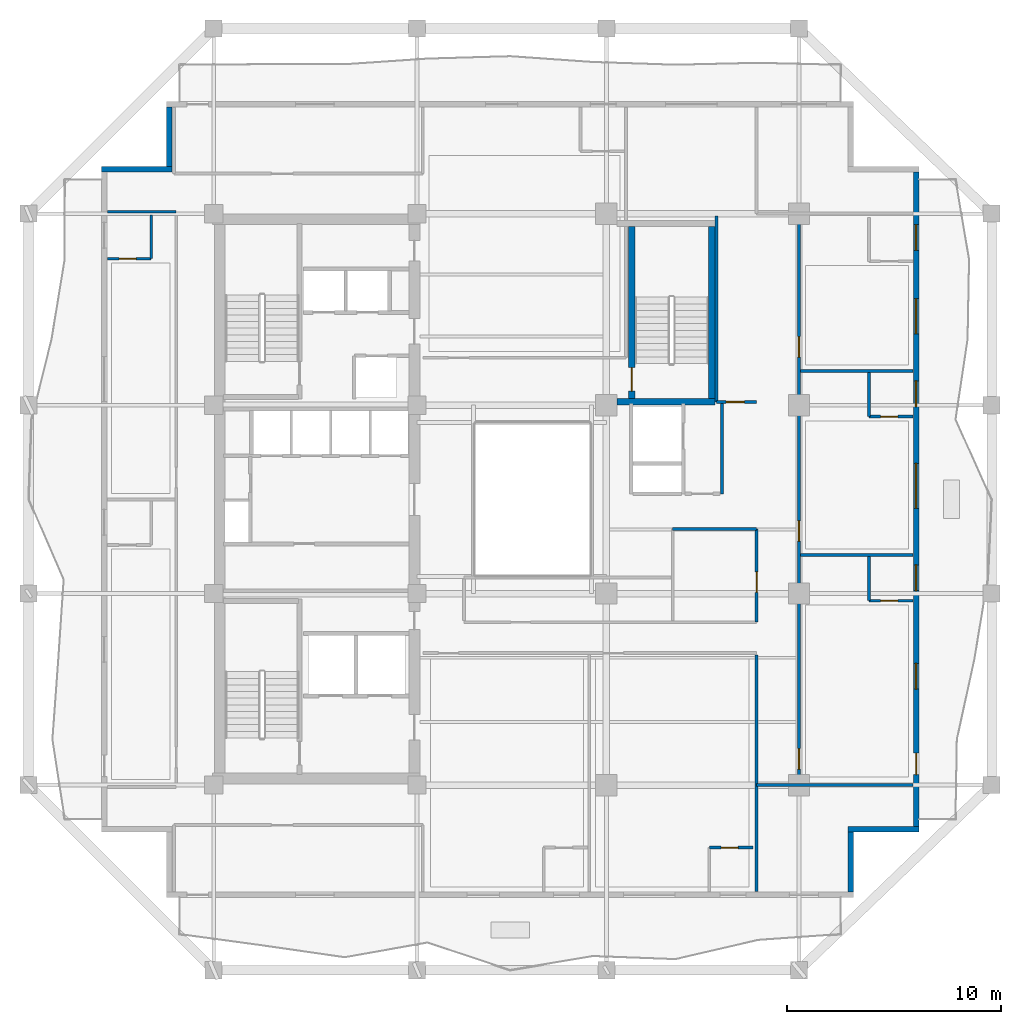
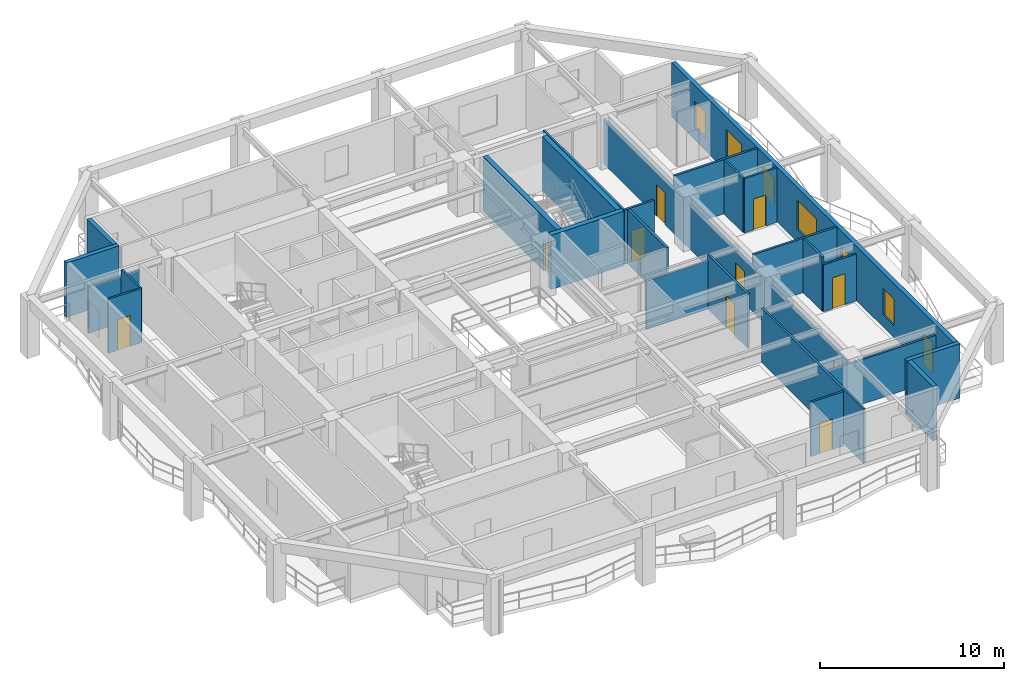
# One storey, part 5 of 10: 26 walls, 11 doors, 6 windows, 17 openings.
"""IFC4 building model written with IfcOpenShell, lengths in metres."""

from ifc_helpers import new_model, si_unit, direction, frame, frame_2d, origin, place, context, subcontext, project, spatial, rectangle, extrude, material, layer, layer_set, type_object, element, fill, save


model = new_model("IFC4")

# Units and contexts
model_context = context("Model", 3, precision=1e-05, world=origin(), true_north=direction((0.0, 1.0)))
body_context = subcontext(model_context, "Body", "Model", "MODEL_VIEW")
ifc_project = project(units=[si_unit("LENGTHUNIT", "METRE"), si_unit("AREAUNIT", "SQUARE_METRE"), si_unit("VOLUMEUNIT", "CUBIC_METRE"), si_unit("PLANEANGLEUNIT", "RADIAN"), si_unit("MASSUNIT", "GRAM", prefix="KILO")], contexts=[model_context])

# Site, building, storey
site_placement = place(None, origin())
site = spatial("IfcSite", under=ifc_project, at=site_placement, CompositionType="ELEMENT")
building_placement = place(site_placement, origin())
building = spatial("IfcBuilding", under=site, at=building_placement, Name="Kundavana Baori Tower", CompositionType="ELEMENT")
storey_placement = place(building_placement, frame((0.0, 0.0, 115.550048828125)))
storey = spatial("IfcBuildingStorey", under=building, at=storey_placement, Name="L27", CompositionType="ELEMENT", Elevation=115.550048828125)

# Walls
ifc_material_1 = material(Name="Kiln-Fired Terracotta Brick-Slip Masonry on Concrete C40/50", Category="masonry")
ifc_layer_1 = layer(ifc_material_1, 0.260009765625, Name="WL-EXT-BRK-260")
ifc_layer_set_1 = layer_set([ifc_layer_1], Name="Kiln-Fired Terracotta Brick-Slip Masonry on Concrete C40/50")
wall_type_1 = type_object("IfcWallType", Name="WL-EXT-BRK-260", PredefinedType="SOLIDWALL", material=ifc_layer_set_1)
wall_1_placement = place(storey_placement, frame((45.219970703125, 10.260009765625, 0.0), z_axis=(0.0, 0.0, 1.0), x_axis=(0.0, 1.0, 0.0)))
element("IfcWall", 1, at=wall_1_placement, inside=storey, type_object=wall_type_1, Name="L27 Exterior Insulated Facade Wall 02", PredefinedType="SOLIDWALL", context=body_context, shape_type="SweptSolid", body=[
    extrude(rectangle(XDim=2.7900390625, YDim=0.260009765625, at=frame_2d((1.39501953125, 0.0))), origin(), (0.0, 0.0, 1.0), 3.599853515625),
])
wall_2_placement = place(storey_placement, frame((45.090087890625, 13.179931640625, 0.0), z_axis=(0.0, 0.0, 1.0), x_axis=(1.0, 0.0, 0.0)))
element("IfcWall", 2, at=wall_2_placement, inside=storey, type_object=wall_type_1, Name="L27 Exterior Insulated Facade Wall 03", PredefinedType="SOLIDWALL", context=body_context, shape_type="SweptSolid", body=[
    extrude(rectangle(XDim=3.309814453125, YDim=0.260009765625, at=frame_2d((1.65478515625, 0.0))), origin(), (0.0, 0.0, 1.0), 3.599853515625),
])

# Wall, openings, door, windows
wall_3_placement = place(storey_placement, frame((48.27001953125, 13.31005859375, 0.0), z_axis=(0.0, 0.0, 1.0), x_axis=(0.0, 1.0, 0.0)))
wall_3 = element("IfcWall", 3, at=wall_3_placement, inside=storey, type_object=wall_type_1, Name="L27 Exterior Insulated Facade Wall 04", PredefinedType="SOLIDWALL", context=body_context, shape_type="SweptSolid", body=[
    extrude(rectangle(XDim=30.579833984375, YDim=0.260009765625, at=frame_2d((15.2900390625, 0.0))), origin(), (0.0, 0.0, 1.0), 3.599853515625),
])
opening_1_placement = place(wall_3_placement, frame((2.429931640625, 0.0, 0.0)))
opening_1 = element("IfcOpeningElement", 4, at=opening_1_placement, cuts=wall_3, Name="Opening BD-1", PredefinedType="OPENING", context=body_context, shape_type="SweptSolid", body=[
    extrude(rectangle(XDim=1.0, YDim=2.050048828125, at=frame_2d((0.5, 1.02490234375))), frame((0.0, 0.14013671875, 0.0), z_axis=(0.0, -1.0, 0.0), x_axis=(1.0, 0.0, 0.0)), (0.0, 0.0, 1.0), 0.280029296875),
])
opening_2_placement = place(wall_3_placement, frame((6.425048828125, 0.0, 0.800048828125)))
opening_2 = element("IfcOpeningElement", 5, at=opening_2_placement, cuts=wall_3, Name="Opening W-03", PredefinedType="OPENING", context=body_context, shape_type="SweptSolid", body=[
    extrude(rectangle(XDim=1.199951171875, YDim=1.75, at=frame_2d((0.60009765625, 0.875))), frame((0.0, 0.14013671875, 0.0), z_axis=(0.0, -1.0, 0.0), x_axis=(1.0, 0.0, 0.0)), (0.0, 0.0, 1.0), 0.280029296875),
])
opening_3_placement = place(wall_3_placement, frame((11.02490234375, 0.0, 0.800048828125)))
opening_3 = element("IfcOpeningElement", 6, at=opening_3_placement, cuts=wall_3, Name="Opening W-03", PredefinedType="OPENING", context=body_context, shape_type="SweptSolid", body=[
    extrude(rectangle(XDim=1.199951171875, YDim=1.75, at=frame_2d((0.60009765625, 0.875))), frame((0.0, 0.14013671875, 0.0), z_axis=(0.0, -1.0, 0.0), x_axis=(1.0, 0.0, 0.0)), (0.0, 0.0, 1.0), 0.280029296875),
])
opening_4_placement = place(wall_3_placement, frame((14.875, 0.0, 0.800048828125)))
opening_4 = element("IfcOpeningElement", 7, at=opening_4_placement, cuts=wall_3, Name="Opening W-05", PredefinedType="OPENING", context=body_context, shape_type="SweptSolid", body=[
    extrude(rectangle(XDim=2.10009765625, YDim=1.949951171875, at=frame_2d((1.050048828125, 0.97509765625))), frame((0.0, 0.14013671875, 0.0), z_axis=(0.0, -1.0, 0.0), x_axis=(1.0, 0.0, 0.0)), (0.0, 0.0, 1.0), 0.280029296875),
])
opening_5_placement = place(wall_3_placement, frame((19.625, 0.0, 0.800048828125)))
opening_5 = element("IfcOpeningElement", 8, at=opening_5_placement, cuts=wall_3, Name="Opening W-03", PredefinedType="OPENING", context=body_context, shape_type="SweptSolid", body=[
    extrude(rectangle(XDim=1.199951171875, YDim=1.75, at=frame_2d((0.60009765625, 0.875))), frame((0.0, 0.14013671875, 0.0), z_axis=(0.0, -1.0, 0.0), x_axis=(1.0, 0.0, 0.0)), (0.0, 0.0, 1.0), 0.280029296875),
])
opening_6_placement = place(wall_3_placement, frame((23.02490234375, 0.0, 0.800048828125)))
opening_6 = element("IfcOpeningElement", 9, at=opening_6_placement, cuts=wall_3, Name="Opening W-08", PredefinedType="OPENING", context=body_context, shape_type="SweptSolid", body=[
    extrude(rectangle(XDim=1.64990234375, YDim=1.949951171875, at=frame_2d((0.824951171875, 0.97509765625))), frame((0.0, 0.14013671875, 0.0), z_axis=(0.0, -1.0, 0.0), x_axis=(1.0, 0.0, 0.0)), (0.0, 0.0, 1.0), 0.280029296875),
])
opening_7_placement = place(wall_3_placement, frame((26.925048828125, 0.0, 0.800048828125)))
opening_7 = element("IfcOpeningElement", 10, at=opening_7_placement, cuts=wall_3, Name="Opening W-03", PredefinedType="OPENING", context=body_context, shape_type="SweptSolid", body=[
    extrude(rectangle(XDim=1.199951171875, YDim=1.75, at=frame_2d((0.60009765625, 0.875))), frame((0.0, 0.14013671875, 0.0), z_axis=(0.0, -1.0, 0.0), x_axis=(1.0, 0.0, 0.0)), (0.0, 0.0, 1.0), 0.280029296875),
])
ifc_material_2 = material(Name="Architectural Patinated Bronze Metalwork")
door_type_1 = type_object("IfcDoorType", Name="DR-EXT-LOG-1000", OperationType="NOTDEFINED", PredefinedType="DOOR", material=ifc_material_2)
door_1_placement = place(opening_1_placement, frame((1.0, 0.0, 0.0), z_axis=(0.0, 0.0, 1.0), x_axis=(-1.0, 0.0, 0.0)))
door_1 = element("IfcDoor", 11, at=door_1_placement, inside=storey, type_object=door_type_1, Name="L27 Loggia Balcony Access Door E", OperationType="SINGLE_SWING_RIGHT", OverallHeight=2.050048828125, OverallWidth=1.0, PredefinedType="DOOR", context=body_context, shape_type="SweptSolid", body=[
    extrude(rectangle(XDim=1.0, YDim=2.050048828125, at=frame_2d((0.5, 1.02490234375))), frame((0.0, 0.02490234375, 0.0), z_axis=(0.0, -1.0, 0.0), x_axis=(1.0, 0.0, 0.0)), (0.0, 0.0, 1.0), 0.050048828125),
])
fill(opening_1, door_1)
ifc_material_3 = material(Name="Double-Glazed Solar-Control Low-E Insulated Glass", Category="glass")
window_type_1 = type_object("IfcWindowType", Name="WIN-LOG-1200x1750", PartitioningType="SINGLE_PANEL", PredefinedType="WINDOW", material=ifc_material_3)
window_1_placement = place(opening_2_placement, origin())
window_1 = element("IfcWindow", 12, at=window_1_placement, inside=storey, type_object=window_type_1, Name="L27 Recessed Loggia Window E-1", OverallHeight=1.75, OverallWidth=1.199951171875, PartitioningType="SINGLE_PANEL", PredefinedType="WINDOW", context=body_context, shape_type="SweptSolid", body=[
    extrude(rectangle(XDim=1.199951171875, YDim=1.75, at=frame_2d((0.60009765625, 0.875))), frame((0.0, 0.030029296875, 0.0), z_axis=(0.0, -1.0, 0.0), x_axis=(1.0, 0.0, 0.0)), (0.0, 0.0, 1.0), 0.06005859375),
])
fill(opening_2, window_1)
window_2_placement = place(opening_3_placement, origin())
window_2 = element("IfcWindow", 13, at=window_2_placement, inside=storey, type_object=window_type_1, Name="L27 Recessed Loggia Window E-2", OverallHeight=1.75, OverallWidth=1.199951171875, PartitioningType="SINGLE_PANEL", PredefinedType="WINDOW", context=body_context, shape_type="SweptSolid", body=[
    extrude(rectangle(XDim=1.199951171875, YDim=1.75, at=frame_2d((0.60009765625, 0.875))), frame((0.0, 0.030029296875, 0.0), z_axis=(0.0, -1.0, 0.0), x_axis=(1.0, 0.0, 0.0)), (0.0, 0.0, 1.0), 0.06005859375),
])
fill(opening_3, window_2)
window_3_placement = place(opening_5_placement, origin())
window_3 = element("IfcWindow", 14, at=window_3_placement, inside=storey, type_object=window_type_1, Name="L27 Recessed Loggia Window E-4", OverallHeight=1.75, OverallWidth=1.199951171875, PartitioningType="SINGLE_PANEL", PredefinedType="WINDOW", context=body_context, shape_type="SweptSolid", body=[
    extrude(rectangle(XDim=1.199951171875, YDim=1.75, at=frame_2d((0.60009765625, 0.875))), frame((0.0, 0.030029296875, 0.0), z_axis=(0.0, -1.0, 0.0), x_axis=(1.0, 0.0, 0.0)), (0.0, 0.0, 1.0), 0.06005859375),
])
fill(opening_5, window_3)
window_4_placement = place(opening_7_placement, origin())
window_4 = element("IfcWindow", 15, at=window_4_placement, inside=storey, type_object=window_type_1, Name="L27 Recessed Loggia Window E-6", OverallHeight=1.75, OverallWidth=1.199951171875, PartitioningType="SINGLE_PANEL", PredefinedType="WINDOW", context=body_context, shape_type="SweptSolid", body=[
    extrude(rectangle(XDim=1.199951171875, YDim=1.75, at=frame_2d((0.60009765625, 0.875))), frame((0.0, 0.030029296875, 0.0), z_axis=(0.0, -1.0, 0.0), x_axis=(1.0, 0.0, 0.0)), (0.0, 0.0, 1.0), 0.06005859375),
])
fill(opening_7, window_4)
ifc_material_4 = material(Name="Double-Glazed Solar-Control Low-E Insulated Glass", Category="glass")
window_type_2 = type_object("IfcWindowType", Name="WIN-LOG-1650x1950", PartitioningType="SINGLE_PANEL", PredefinedType="WINDOW", material=ifc_material_4)
window_5_placement = place(opening_6_placement, origin())
window_5 = element("IfcWindow", 16, at=window_5_placement, inside=storey, type_object=window_type_2, Name="L27 Recessed Loggia Window E-5", OverallHeight=1.949951171875, OverallWidth=1.64990234375, PartitioningType="SINGLE_PANEL", PredefinedType="WINDOW", context=body_context, shape_type="SweptSolid", body=[
    extrude(rectangle(XDim=1.64990234375, YDim=1.949951171875, at=frame_2d((0.824951171875, 0.97509765625))), frame((0.0, 0.030029296875, 0.0), z_axis=(0.0, -1.0, 0.0), x_axis=(1.0, 0.0, 0.0)), (0.0, 0.0, 1.0), 0.06005859375),
])
fill(opening_6, window_5)
ifc_material_5 = material(Name="Double-Glazed Solar-Control Low-E Insulated Glass", Category="glass")
window_type_3 = type_object("IfcWindowType", Name="WIN-LOG-2100x1950", PartitioningType="SINGLE_PANEL", PredefinedType="WINDOW", material=ifc_material_5)
window_6_placement = place(opening_4_placement, origin())
window_6 = element("IfcWindow", 17, at=window_6_placement, inside=storey, type_object=window_type_3, Name="L27 Recessed Loggia Window E-3", OverallHeight=1.949951171875, OverallWidth=2.10009765625, PartitioningType="SINGLE_PANEL", PredefinedType="WINDOW", context=body_context, shape_type="SweptSolid", body=[
    extrude(rectangle(XDim=2.10009765625, YDim=1.949951171875, at=frame_2d((1.050048828125, 0.97509765625))), frame((0.0, 0.030029296875, 0.0), z_axis=(0.0, -1.0, 0.0), x_axis=(1.0, 0.0, 0.0)), (0.0, 0.0, 1.0), 0.06005859375),
])
fill(opening_4, window_6)

# Walls
wall_4_placement = place(storey_placement, frame((13.3798828125, 46.93994140625, 0.0), z_axis=(0.0, 0.0, 1.0), x_axis=(0.0, -1.0, 0.0)))
element("IfcWall", 18, at=wall_4_placement, inside=storey, type_object=wall_type_1, Name="L27 Exterior Insulated Facade Wall 08", PredefinedType="SOLIDWALL", context=body_context, shape_type="SweptSolid", body=[
    extrude(rectangle(XDim=2.7900390625, YDim=0.260009765625, at=frame_2d((1.39501953125, 0.0))), origin(), (0.0, 0.0, 1.0), 3.599853515625),
])
wall_5_placement = place(storey_placement, frame((13.510009765625, 44.02001953125, 0.0), z_axis=(0.0, 0.0, 1.0), x_axis=(-1.0, 0.0, 0.0)))
element("IfcWall", 19, at=wall_5_placement, inside=storey, type_object=wall_type_1, Name="L27 Exterior Insulated Facade Wall 09", PredefinedType="SOLIDWALL", context=body_context, shape_type="SweptSolid", body=[
    extrude(rectangle(XDim=3.31005859375, YDim=0.260009765625, at=frame_2d((1.655029296875, 0.0))), origin(), (0.0, 0.0, 1.0), 3.599853515625),
])

# Wall, openings, doors
ifc_material_6 = material(Name="Acoustic Gypsum Plasterboard on Galvanised Steel Studs", Category="steel")
ifc_layer_2 = layer(ifc_material_6, 0.135009765625, Name="WL-PART-135")
ifc_layer_set_2 = layer_set([ifc_layer_2], Name="Acoustic Gypsum Plasterboard on Galvanised Steel Studs")
wall_type_2 = type_object("IfcWallType", Name="WL-PART-135", PredefinedType="PARTITIONING", material=ifc_layer_set_2)
wall_6_placement = place(storey_placement, frame((42.800048828125, 15.25, 0.0), z_axis=(0.0, 0.0, 1.0), x_axis=(0.0, 1.0, 0.0)))
wall_6 = element("IfcWall", 20, at=wall_6_placement, inside=storey, type_object=wall_type_2, Name="WL-L27-HE", PredefinedType="PARTITIONING", context=body_context, shape_type="SweptSolid", body=[
    extrude(rectangle(XDim=26.699951171875, YDim=0.135009765625, at=frame_2d((13.35009765625, 0.0))), origin(), (0.0, 0.0, 1.0), 2.949951171875),
])
opening_8_placement = place(wall_6_placement, frame((0.75, 0.0, 0.0)))
opening_8 = element("IfcOpeningElement", 21, at=opening_8_placement, cuts=wall_6, Name="Opening FD-095", PredefinedType="OPENING", context=body_context, shape_type="SweptSolid", body=[
    extrude(rectangle(XDim=0.949951171875, YDim=2.10009765625, at=frame_2d((0.47509765625, 1.050048828125))), frame((0.0, 0.07763671875, 0.0), z_axis=(0.0, -1.0, 0.0), x_axis=(1.0, 0.0, 0.0)), (0.0, 0.0, 1.0), 0.155029296875),
])
opening_9_placement = place(wall_6_placement, frame((11.39990234375, 0.0, 0.0)))
opening_9 = element("IfcOpeningElement", 22, at=opening_9_placement, cuts=wall_6, Name="Opening FD-095", PredefinedType="OPENING", context=body_context, shape_type="SweptSolid", body=[
    extrude(rectangle(XDim=0.949951171875, YDim=2.10009765625, at=frame_2d((0.47509765625, 1.050048828125))), frame((0.0, 0.07763671875, 0.0), z_axis=(0.0, -1.0, 0.0), x_axis=(1.0, 0.0, 0.0)), (0.0, 0.0, 1.0), 0.155029296875),
])
opening_10_placement = place(wall_6_placement, frame((20.0, 0.0, 0.0)))
opening_10 = element("IfcOpeningElement", 23, at=opening_10_placement, cuts=wall_6, Name="Opening FD-095", PredefinedType="OPENING", context=body_context, shape_type="SweptSolid", body=[
    extrude(rectangle(XDim=0.949951171875, YDim=2.10009765625, at=frame_2d((0.47509765625, 1.050048828125))), frame((0.0, 0.07763671875, 0.0), z_axis=(0.0, -1.0, 0.0), x_axis=(1.0, 0.0, 0.0)), (0.0, 0.0, 1.0), 0.155029296875),
])
ifc_material_7 = material(Name="Engineered Teak Fire-Rated Timber Door Leaf", Category="wood")
door_type_2 = type_object("IfcDoorType", Name="DR-FD60-950", OperationType="NOTDEFINED", PredefinedType="DOOR", material=ifc_material_7)
door_2_placement = place(opening_8_placement, origin())
door_2 = element("IfcDoor", 24, at=door_2_placement, inside=storey, type_object=door_type_2, Name="DR-L27-HK-E1-ENT", OperationType="SINGLE_SWING_LEFT", OverallHeight=2.10009765625, OverallWidth=0.949951171875, PredefinedType="DOOR", context=body_context, shape_type="SweptSolid", body=[
    extrude(rectangle(XDim=0.949951171875, YDim=2.10009765625, at=frame_2d((0.47509765625, 1.050048828125))), frame((0.0, 0.02490234375, 0.0), z_axis=(0.0, -1.0, 0.0), x_axis=(1.0, 0.0, 0.0)), (0.0, 0.0, 1.0), 0.050048828125),
])
fill(opening_8, door_2)
door_3_placement = place(opening_9_placement, origin())
door_3 = element("IfcDoor", 25, at=door_3_placement, inside=storey, type_object=door_type_2, Name="DR-L27-HK-E2-ENT", OperationType="SINGLE_SWING_LEFT", OverallHeight=2.10009765625, OverallWidth=0.949951171875, PredefinedType="DOOR", context=body_context, shape_type="SweptSolid", body=[
    extrude(rectangle(XDim=0.949951171875, YDim=2.10009765625, at=frame_2d((0.47509765625, 1.050048828125))), frame((0.0, 0.02490234375, 0.0), z_axis=(0.0, -1.0, 0.0), x_axis=(1.0, 0.0, 0.0)), (0.0, 0.0, 1.0), 0.050048828125),
])
fill(opening_9, door_3)
door_4_placement = place(opening_10_placement, origin())
door_4 = element("IfcDoor", 26, at=door_4_placement, inside=storey, type_object=door_type_2, Name="DR-L27-HK-E3-ENT", OperationType="SINGLE_SWING_LEFT", OverallHeight=2.10009765625, OverallWidth=0.949951171875, PredefinedType="DOOR", context=body_context, shape_type="SweptSolid", body=[
    extrude(rectangle(XDim=0.949951171875, YDim=2.10009765625, at=frame_2d((0.47509765625, 1.050048828125))), frame((0.0, 0.02490234375, 0.0), z_axis=(0.0, -1.0, 0.0), x_axis=(1.0, 0.0, 0.0)), (0.0, 0.0, 1.0), 0.050048828125),
])
fill(opening_10, door_4)

# Wall
wall_7_placement = place(storey_placement, frame((40.820068359375, 15.25, 0.0), z_axis=(0.0, 0.0, 1.0), x_axis=(1.0, 0.0, 0.0)))
element("IfcWall", 27, at=wall_7_placement, inside=storey, type_object=wall_type_2, Name="WL-L27-HES", PredefinedType="PARTITIONING", context=body_context, shape_type="SweptSolid", body=[
    extrude(rectangle(XDim=7.300048828125, YDim=0.135009765625, at=frame_2d((3.64990234375, 0.0))), origin(), (0.0, 0.0, 1.0), 2.949951171875),
])

# Wall, opening, door
wall_8_placement = place(storey_placement, frame((40.820068359375, 22.860107421875, 0.0), z_axis=(0.0, 0.0, 1.0), x_axis=(0.0, 1.0, 0.0)))
wall_8 = element("IfcWall", 28, at=wall_8_placement, inside=storey, type_object=wall_type_2, Name="WL-L27-HEW", PredefinedType="PARTITIONING", context=body_context, shape_type="SweptSolid", body=[
    extrude(rectangle(XDim=4.35986328125, YDim=0.135009765625, at=frame_2d((2.179931640625, 0.0))), origin(), (0.0, 0.0, 1.0), 3.599853515625),
])
opening_11_placement = place(wall_8_placement, frame((1.39990234375, 0.0, 0.0)))
opening_11 = element("IfcOpeningElement", 29, at=opening_11_placement, cuts=wall_8, Name="Opening FD-095", PredefinedType="OPENING", context=body_context, shape_type="SweptSolid", body=[
    extrude(rectangle(XDim=0.949951171875, YDim=2.10009765625, at=frame_2d((0.47509765625, 1.050048828125))), frame((0.0, 0.07763671875, 0.0), z_axis=(0.0, -1.0, 0.0), x_axis=(1.0, 0.0, 0.0)), (0.0, 0.0, 1.0), 0.155029296875),
])
door_5_placement = place(opening_11_placement, frame((0.949951171875, 0.0, 0.0), z_axis=(0.0, 0.0, 1.0), x_axis=(-1.0, 0.0, 0.0)))
door_5 = element("IfcDoor", 30, at=door_5_placement, inside=storey, type_object=door_type_2, Name="DR-L27-HSK", OperationType="SINGLE_SWING_RIGHT", OverallHeight=2.10009765625, OverallWidth=0.949951171875, PredefinedType="DOOR", context=body_context, shape_type="SweptSolid", body=[
    extrude(rectangle(XDim=0.949951171875, YDim=2.10009765625, at=frame_2d((0.47509765625, 1.050048828125))), frame((0.0, 0.02490234375, 0.0), z_axis=(0.0, -1.0, 0.0), x_axis=(1.0, 0.0, 0.0)), (0.0, 0.0, 1.0), 0.050048828125),
])
fill(opening_11, door_5)

# Walls
wall_9_placement = place(storey_placement, frame((10.47998046875, 42.0400390625, 0.0), z_axis=(0.0, 0.0, 1.0), x_axis=(1.0, 0.0, 0.0)))
element("IfcWall", 31, at=wall_9_placement, inside=storey, type_object=wall_type_2, Name="WL-L27-HWN", PredefinedType="PARTITIONING", context=body_context, shape_type="SweptSolid", body=[
    extrude(rectangle(XDim=3.219970703125, YDim=0.135009765625, at=frame_2d((1.60986328125, 0.0))), origin(), (0.0, 0.0, 1.0), 3.099853515625),
])
wall_10_placement = place(storey_placement, frame((36.89990234375, 27.219970703125, 0.0), z_axis=(0.0, 0.0, 1.0), x_axis=(1.0, 0.0, 0.0)))
element("IfcWall", 32, at=wall_10_placement, inside=storey, type_object=wall_type_2, Name="WL-L27-HKN", PredefinedType="PARTITIONING", context=body_context, shape_type="SweptSolid", body=[
    extrude(rectangle(XDim=3.920166015625, YDim=0.135009765625, at=frame_2d((1.9599609375, 0.0))), origin(), (0.0, 0.0, 1.0), 3.199951171875),
])
wall_11_placement = place(storey_placement, frame((40.820068359375, 10.280029296875, 0.0), z_axis=(0.0, 0.0, 1.0), x_axis=(0.0, 1.0, 0.0)))
element("IfcWall", 33, at=wall_11_placement, inside=storey, type_object=wall_type_2, Name="WL-L27-HSEND", PredefinedType="PARTITIONING", context=body_context, shape_type="SweptSolid", body=[
    extrude(rectangle(XDim=11.06005859375, YDim=0.135009765625, at=frame_2d((5.530029296875, 0.0))), origin(), (0.0, 0.0, 1.0), 3.599853515625),
])
for number, where, z_axis, x_axis, name in (
    (34, (42.8798828125, 26.0, 0.0), (0.0, 0.0, 1.0), (1.0, 0.0, 0.0), "WL-L27-HED1"),
    (35, (42.8798828125, 34.60009765625, 0.0), (0.0, 0.0, 1.0), (1.0, 0.0, 0.0), "WL-L27-HED2"),
):
    element("IfcWall", number, at=place(storey_placement, frame(where, z_axis=z_axis, x_axis=x_axis)), inside=storey, type_object=wall_type_2, Name=name, PredefinedType="PARTITIONING", context=body_context, shape_type="SweptSolid", body=[
        extrude(rectangle(XDim=5.240234375, YDim=0.135009765625, at=frame_2d((2.6201171875, 0.0))), origin(), (0.0, 0.0, 1.0), 3.599853515625),
    ])

# Wall, opening, door
wall_12_placement = place(storey_placement, frame((38.949951171875, 33.14990234375, 0.0), z_axis=(0.0, 0.0, 1.0), x_axis=(1.0, 0.0, 0.0)))
wall_12 = element("IfcWall", 36, at=wall_12_placement, inside=storey, type_object=wall_type_2, Name="WL-L27-HNES", PredefinedType="PARTITIONING", context=body_context, shape_type="SweptSolid", body=[
    extrude(rectangle(XDim=1.8701171875, YDim=0.135009765625, at=frame_2d((0.93505859375, 0.0))), origin(), (0.0, 0.0, 1.0), 3.599853515625),
])
opening_12_placement = place(wall_12_placement, frame((0.449951171875, 0.0, 0.0)))
opening_12 = element("IfcOpeningElement", 37, at=opening_12_placement, cuts=wall_12, Name="Opening WD-085", PredefinedType="OPENING", context=body_context, shape_type="SweptSolid", body=[
    extrude(rectangle(XDim=0.85009765625, YDim=2.050048828125, at=frame_2d((0.425048828125, 1.02490234375))), frame((0.0, 0.07763671875, 0.0), z_axis=(0.0, -1.0, 0.0), x_axis=(1.0, 0.0, 0.0)), (0.0, 0.0, 1.0), 0.155029296875),
])
ifc_material_8 = material(Name="Engineered Teak Solid-Core Timber Veneer", Category="wood")
door_type_3 = type_object("IfcDoorType", Name="DR-WET-850", OperationType="NOTDEFINED", PredefinedType="DOOR", material=ifc_material_8)
door_6_placement = place(opening_12_placement, origin())
door_6 = element("IfcDoor", 38, at=door_6_placement, inside=storey, type_object=door_type_3, Name="DR-L27-HLNE", OperationType="SINGLE_SWING_LEFT", OverallHeight=2.050048828125, OverallWidth=0.85009765625, PredefinedType="DOOR", context=body_context, shape_type="SweptSolid", body=[
    extrude(rectangle(XDim=0.85009765625, YDim=2.050048828125, at=frame_2d((0.425048828125, 1.02490234375))), frame((0.0, 0.02490234375, 0.0), z_axis=(0.0, -1.0, 0.0), x_axis=(1.0, 0.0, 0.0)), (0.0, 0.0, 1.0), 0.050048828125),
])
fill(opening_12, door_6)

# Walls
wall_13_placement = place(storey_placement, frame((38.949951171875, 33.14990234375, 0.0), z_axis=(0.0, 0.0, 1.0), x_axis=(0.0, 1.0, 0.0)))
element("IfcWall", 39, at=wall_13_placement, inside=storey, type_object=wall_type_2, Name="WL-L27-HNEW", PredefinedType="PARTITIONING", context=body_context, shape_type="SweptSolid", body=[
    extrude(rectangle(XDim=8.7001953125, YDim=0.135009765625, at=frame_2d((4.35009765625, 0.0))), origin(), (0.0, 0.0, 1.0), 3.599853515625),
])
ifc_material_9 = material(Name="Fire-Rated Gypsum Drywall on Galvanised Steel Studs", Category="steel")
ifc_layer_3 = layer(ifc_material_9, 0.14990234375, Name="WL-PART-150")
ifc_layer_set_3 = layer_set([ifc_layer_3], Name="Fire-Rated Gypsum Drywall on Galvanised Steel Studs")
wall_type_3 = type_object("IfcWallType", Name="WL-PART-150", PredefinedType="PARTITIONING", material=ifc_layer_set_3)
wall_14_placement = place(storey_placement, frame((39.199951171875, 28.860107421875, 0.0), z_axis=(0.0, 0.0, 1.0), x_axis=(0.0, 1.0, 0.0)))
element("IfcWall", 40, at=wall_14_placement, inside=storey, type_object=wall_type_3, Name="WL-L27-SVLOB-E", PredefinedType="PARTITIONING", context=body_context, shape_type="SweptSolid", body=[
    extrude(rectangle(XDim=4.219970703125, YDim=0.14990234375, at=frame_2d((2.10986328125, 0.0))), origin(), (0.0, 0.0, 1.0), 3.599853515625),
])
ifc_material_10 = material(Name="Concrete C50/60", Category="concrete")
ifc_layer_4 = layer(ifc_material_10, 0.300048828125, Name="WL-ST3-300")
ifc_layer_set_4 = layer_set([ifc_layer_4], Name="Concrete C50/60")
wall_type_4 = type_object("IfcWallType", Name="WL-ST3-300", PredefinedType="SHEAR", material=ifc_layer_set_4)
wall_15_placement = place(storey_placement, frame((34.300048828125, 33.159912109375, 0.0), z_axis=(0.0, 0.0, 1.0), x_axis=(1.0, 0.0, 0.0)))
element("IfcWall", 41, at=wall_15_placement, inside=storey, type_object=wall_type_4, Name="L27 Stair ST3 South Shear Wall", PredefinedType="SHEAR", context=body_context, shape_type="SweptSolid", body=[
    extrude(rectangle(XDim=4.570068359375, YDim=0.300048828125, at=frame_2d((2.28515625, 0.0))), origin(), (0.0, 0.0, 1.0), 3.599853515625),
])

# Wall, opening, door
wall_16_placement = place(storey_placement, frame((34.97998046875, 33.31005859375, 0.0), z_axis=(0.0, 0.0, 1.0), x_axis=(0.0, 1.0, 0.0)))
wall_16 = element("IfcWall", 42, at=wall_16_placement, inside=storey, type_object=wall_type_4, Name="L27 Stair ST3 West Shear Wall", PredefinedType="SHEAR", context=body_context, shape_type="SweptSolid", body=[
    extrude(rectangle(XDim=8.030029296875, YDim=0.300048828125, at=frame_2d((4.01513671875, 0.0))), origin(), (0.0, 0.0, 1.0), 3.599853515625),
])
opening_13_placement = place(wall_16_placement, frame((0.35009765625, 0.0, 0.0)))
opening_13 = element("IfcOpeningElement", 43, at=opening_13_placement, cuts=wall_16, Name="Opening FD-110", PredefinedType="OPENING", context=body_context, shape_type="SweptSolid", body=[
    extrude(rectangle(XDim=1.10009765625, YDim=2.10009765625, at=frame_2d((0.550048828125, 1.050048828125))), frame((0.0, 0.16015625, 0.0), z_axis=(0.0, -1.0, 0.0), x_axis=(1.0, 0.0, 0.0)), (0.0, 0.0, 1.0), 0.320068359375),
])
ifc_material_11 = material(Name="Galvanised Steel Fire-Rated Door Leaf", Category="steel")
door_type_4 = type_object("IfcDoorType", Name="DR-FD120-1100", OperationType="NOTDEFINED", PredefinedType="DOOR", material=ifc_material_11)
door_7_placement = place(opening_13_placement, origin())
door_7 = element("IfcDoor", 44, at=door_7_placement, inside=storey, type_object=door_type_4, Name="DR-L27-ST3-W", OperationType="SINGLE_SWING_LEFT", OverallHeight=2.10009765625, OverallWidth=1.10009765625, PredefinedType="DOOR", context=body_context, shape_type="SweptSolid", body=[
    extrude(rectangle(XDim=1.10009765625, YDim=2.10009765625, at=frame_2d((0.550048828125, 1.050048828125))), frame((0.0, 0.02490234375, 0.0), z_axis=(0.0, -1.0, 0.0), x_axis=(1.0, 0.0, 0.0)), (0.0, 0.0, 1.0), 0.050048828125),
])
fill(opening_13, door_7)

# Walls
wall_17_placement = place(storey_placement, frame((38.719970703125, 33.31005859375, 0.0), z_axis=(0.0, 0.0, 1.0), x_axis=(0.0, 1.0, 0.0)))
element("IfcWall", 45, at=wall_17_placement, inside=storey, type_object=wall_type_4, Name="L27 Stair ST3 East Shear Wall", PredefinedType="SHEAR", context=body_context, shape_type="SweptSolid", body=[
    extrude(rectangle(XDim=8.030029296875, YDim=0.300048828125, at=frame_2d((4.01513671875, 0.0))), origin(), (0.0, 0.0, 1.0), 3.599853515625),
])
ifc_material_12 = material(Name="Autoclaved Aerated Concrete Blockwork Masonry", Category="masonry")
ifc_layer_5 = layer(ifc_material_12, 0.125, Name="WL-WET-120")
ifc_layer_set_5 = layer_set([ifc_layer_5], Name="Autoclaved Aerated Concrete Blockwork Masonry")
wall_type_5 = type_object("IfcWallType", Name="WL-WET-120", PredefinedType="PLUMBINGWALL", material=ifc_layer_set_5)
wall_18_placement = place(storey_placement, frame((12.530029296875, 39.85009765625, 0.0), z_axis=(0.0, 0.0, 1.0), x_axis=(0.0, 1.0, 0.0)))
element("IfcWall", 46, at=wall_18_placement, inside=storey, type_object=wall_type_5, Name="WL-L27-HK-W2-BE", PredefinedType="PLUMBINGWALL", context=body_context, shape_type="SweptSolid", body=[
    extrude(rectangle(XDim=2.0498046875, YDim=0.125, at=frame_2d((1.02490234375, 0.0))), origin(), (0.0, 0.0, 1.0), 3.599853515625),
])

# Wall, opening, door
wall_19_placement = place(storey_placement, frame((10.47998046875, 39.85009765625, 0.0), z_axis=(0.0, 0.0, 1.0), x_axis=(1.0, 0.0, 0.0)))
wall_19 = element("IfcWall", 47, at=wall_19_placement, inside=storey, type_object=wall_type_5, Name="WL-L27-HK-W2-BS", PredefinedType="PLUMBINGWALL", context=body_context, shape_type="SweptSolid", body=[
    extrude(rectangle(XDim=2.050048828125, YDim=0.125, at=frame_2d((1.02490234375, 0.0))), origin(), (0.0, 0.0, 1.0), 3.599853515625),
])
opening_14_placement = place(wall_19_placement, frame((0.550048828125, 0.0, 0.0)))
opening_14 = element("IfcOpeningElement", 48, at=opening_14_placement, cuts=wall_19, Name="Opening WD-080", PredefinedType="OPENING", context=body_context, shape_type="SweptSolid", body=[
    extrude(rectangle(XDim=0.800048828125, YDim=2.050048828125, at=frame_2d((0.39990234375, 1.02490234375))), frame((0.0, 0.072509765625, 0.0), z_axis=(0.0, -1.0, 0.0), x_axis=(1.0, 0.0, 0.0)), (0.0, 0.0, 1.0), 0.14501953125),
])
ifc_material_13 = material(Name="Engineered Teak Solid-Core Timber Veneer", Category="wood")
door_type_5 = type_object("IfcDoorType", Name="DR-WET-800", OperationType="NOTDEFINED", PredefinedType="DOOR", material=ifc_material_13)
door_8_placement = place(opening_14_placement, frame((0.800048828125, 0.0, 0.0), z_axis=(0.0, 0.0, 1.0), x_axis=(-1.0, 0.0, 0.0)))
door_8 = element("IfcDoor", 49, at=door_8_placement, inside=storey, type_object=door_type_5, Name="DR-L27-HK-W2-ENS", OperationType="SINGLE_SWING_LEFT", OverallHeight=2.050048828125, OverallWidth=0.800048828125, PredefinedType="DOOR", context=body_context, shape_type="SweptSolid", body=[
    extrude(rectangle(XDim=0.800048828125, YDim=2.050048828125, at=frame_2d((0.39990234375, 1.02490234375))), frame((0.0, 0.02490234375, 0.0), z_axis=(0.0, -1.0, 0.0), x_axis=(1.0, 0.0, 0.0)), (0.0, 0.0, 1.0), 0.050048828125),
])
fill(opening_14, door_8)

wall_20_placement = place(storey_placement, frame((38.610107421875, 12.330078125, 0.0), z_axis=(0.0, 0.0, 1.0), x_axis=(1.0, 0.0, 0.0)))
wall_20 = element("IfcWall", 50, at=wall_20_placement, inside=storey, type_object=wall_type_5, Name="WL-L27-HK-S2-BN", PredefinedType="PLUMBINGWALL", context=body_context, shape_type="SweptSolid", body=[
    extrude(rectangle(XDim=2.0498046875, YDim=0.125, at=frame_2d((1.02490234375, 0.0))), origin(), (0.0, 0.0, 1.0), 3.599853515625),
])
opening_15_placement = place(wall_20_placement, frame((0.550048828125, 0.0, 0.0)))
opening_15 = element("IfcOpeningElement", 51, at=opening_15_placement, cuts=wall_20, Name="Opening WD-080", PredefinedType="OPENING", context=body_context, shape_type="SweptSolid", body=[
    extrude(rectangle(XDim=0.800048828125, YDim=2.050048828125, at=frame_2d((0.39990234375, 1.02490234375))), frame((0.0, 0.072509765625, 0.0), z_axis=(0.0, -1.0, 0.0), x_axis=(1.0, 0.0, 0.0)), (0.0, 0.0, 1.0), 0.14501953125),
])
door_9_placement = place(opening_15_placement, origin())
door_9 = element("IfcDoor", 52, at=door_9_placement, inside=storey, type_object=door_type_5, Name="DR-L27-HK-S2-ENS", OperationType="SINGLE_SWING_LEFT", OverallHeight=2.050048828125, OverallWidth=0.800048828125, PredefinedType="DOOR", context=body_context, shape_type="SweptSolid", body=[
    extrude(rectangle(XDim=0.800048828125, YDim=2.050048828125, at=frame_2d((0.39990234375, 1.02490234375))), frame((0.0, 0.02490234375, 0.0), z_axis=(0.0, -1.0, 0.0), x_axis=(1.0, 0.0, 0.0)), (0.0, 0.0, 1.0), 0.050048828125),
])
fill(opening_15, door_9)

# Wall
wall_21_placement = place(storey_placement, frame((46.070068359375, 23.8701171875, 0.0), z_axis=(0.0, 0.0, 1.0), x_axis=(0.0, 1.0, 0.0)))
element("IfcWall", 53, at=wall_21_placement, inside=storey, type_object=wall_type_5, Name="WL-L27-HK-E1-BW", PredefinedType="PLUMBINGWALL", context=body_context, shape_type="SweptSolid", body=[
    extrude(rectangle(XDim=2.0498046875, YDim=0.125, at=frame_2d((1.02490234375, 0.0))), origin(), (0.0, 0.0, 1.0), 3.599853515625),
])

# Wall, opening, door
wall_22_placement = place(storey_placement, frame((46.070068359375, 23.8701171875, 0.0), z_axis=(0.0, 0.0, 1.0), x_axis=(1.0, 0.0, 0.0)))
wall_22 = element("IfcWall", 54, at=wall_22_placement, inside=storey, type_object=wall_type_5, Name="WL-L27-HK-E1-BS", PredefinedType="PLUMBINGWALL", context=body_context, shape_type="SweptSolid", body=[
    extrude(rectangle(XDim=2.050048828125, YDim=0.125, at=frame_2d((1.02490234375, 0.0))), origin(), (0.0, 0.0, 1.0), 3.099853515625),
])
opening_16_placement = place(wall_22_placement, frame((0.550048828125, 0.0, 0.0)))
opening_16 = element("IfcOpeningElement", 55, at=opening_16_placement, cuts=wall_22, Name="Opening WD-080", PredefinedType="OPENING", context=body_context, shape_type="SweptSolid", body=[
    extrude(rectangle(XDim=0.800048828125, YDim=2.050048828125, at=frame_2d((0.39990234375, 1.02490234375))), frame((0.0, 0.072509765625, 0.0), z_axis=(0.0, -1.0, 0.0), x_axis=(1.0, 0.0, 0.0)), (0.0, 0.0, 1.0), 0.14501953125),
])
door_10_placement = place(opening_16_placement, frame((0.800048828125, 0.0, 0.0), z_axis=(0.0, 0.0, 1.0), x_axis=(-1.0, 0.0, 0.0)))
door_10 = element("IfcDoor", 56, at=door_10_placement, inside=storey, type_object=door_type_5, Name="DR-L27-HK-E1-ENS", OperationType="SINGLE_SWING_LEFT", OverallHeight=2.050048828125, OverallWidth=0.800048828125, PredefinedType="DOOR", context=body_context, shape_type="SweptSolid", body=[
    extrude(rectangle(XDim=0.800048828125, YDim=2.050048828125, at=frame_2d((0.39990234375, 1.02490234375))), frame((0.0, 0.02490234375, 0.0), z_axis=(0.0, -1.0, 0.0), x_axis=(1.0, 0.0, 0.0)), (0.0, 0.0, 1.0), 0.050048828125),
])
fill(opening_16, door_10)

# Wall
wall_23_placement = place(storey_placement, frame((46.070068359375, 32.469970703125, 0.0), z_axis=(0.0, 0.0, 1.0), x_axis=(0.0, 1.0, 0.0)))
element("IfcWall", 57, at=wall_23_placement, inside=storey, type_object=wall_type_5, Name="WL-L27-HK-E2-BW", PredefinedType="PLUMBINGWALL", context=body_context, shape_type="SweptSolid", body=[
    extrude(rectangle(XDim=2.050048828125, YDim=0.125, at=frame_2d((1.02490234375, 0.0))), origin(), (0.0, 0.0, 1.0), 3.599853515625),
])

# Wall, opening, door
wall_24_placement = place(storey_placement, frame((46.070068359375, 32.469970703125, 0.0), z_axis=(0.0, 0.0, 1.0), x_axis=(1.0, 0.0, 0.0)))
wall_24 = element("IfcWall", 58, at=wall_24_placement, inside=storey, type_object=wall_type_5, Name="WL-L27-HK-E2-BS", PredefinedType="PLUMBINGWALL", context=body_context, shape_type="SweptSolid", body=[
    extrude(rectangle(XDim=2.050048828125, YDim=0.125, at=frame_2d((1.02490234375, 0.0))), origin(), (0.0, 0.0, 1.0), 3.599853515625),
])
opening_17_placement = place(wall_24_placement, frame((0.550048828125, 0.0, 0.0)))
opening_17 = element("IfcOpeningElement", 59, at=opening_17_placement, cuts=wall_24, Name="Opening WD-080", PredefinedType="OPENING", context=body_context, shape_type="SweptSolid", body=[
    extrude(rectangle(XDim=0.800048828125, YDim=2.050048828125, at=frame_2d((0.39990234375, 1.02490234375))), frame((0.0, 0.072509765625, 0.0), z_axis=(0.0, -1.0, 0.0), x_axis=(1.0, 0.0, 0.0)), (0.0, 0.0, 1.0), 0.14501953125),
])
door_11_placement = place(opening_17_placement, frame((0.800048828125, 0.0, 0.0), z_axis=(0.0, 0.0, 1.0), x_axis=(-1.0, 0.0, 0.0)))
door_11 = element("IfcDoor", 60, at=door_11_placement, inside=storey, type_object=door_type_5, Name="DR-L27-HK-E2-ENS", OperationType="SINGLE_SWING_LEFT", OverallHeight=2.050048828125, OverallWidth=0.800048828125, PredefinedType="DOOR", context=body_context, shape_type="SweptSolid", body=[
    extrude(rectangle(XDim=0.800048828125, YDim=2.050048828125, at=frame_2d((0.39990234375, 1.02490234375))), frame((0.0, 0.02490234375, 0.0), z_axis=(0.0, -1.0, 0.0), x_axis=(1.0, 0.0, 0.0)), (0.0, 0.0, 1.0), 0.050048828125),
])
fill(opening_17, door_11)

save(model, "model.ifc")
